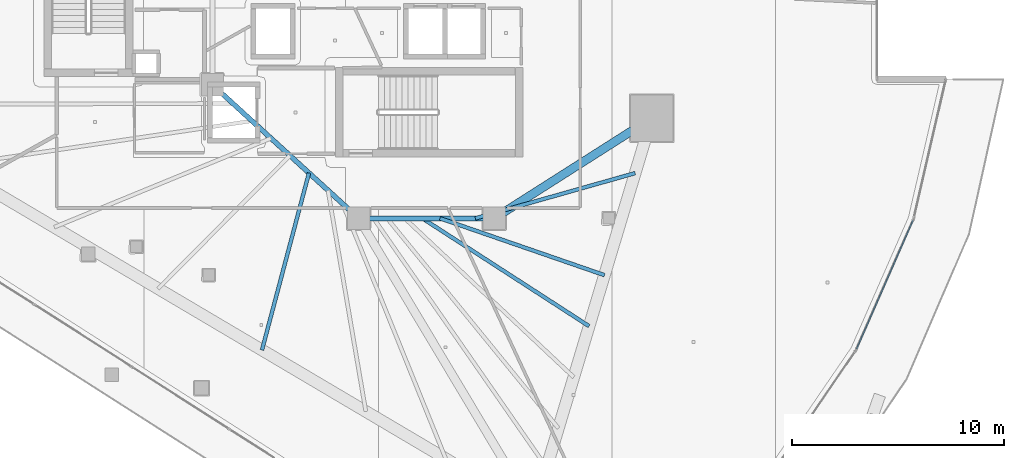
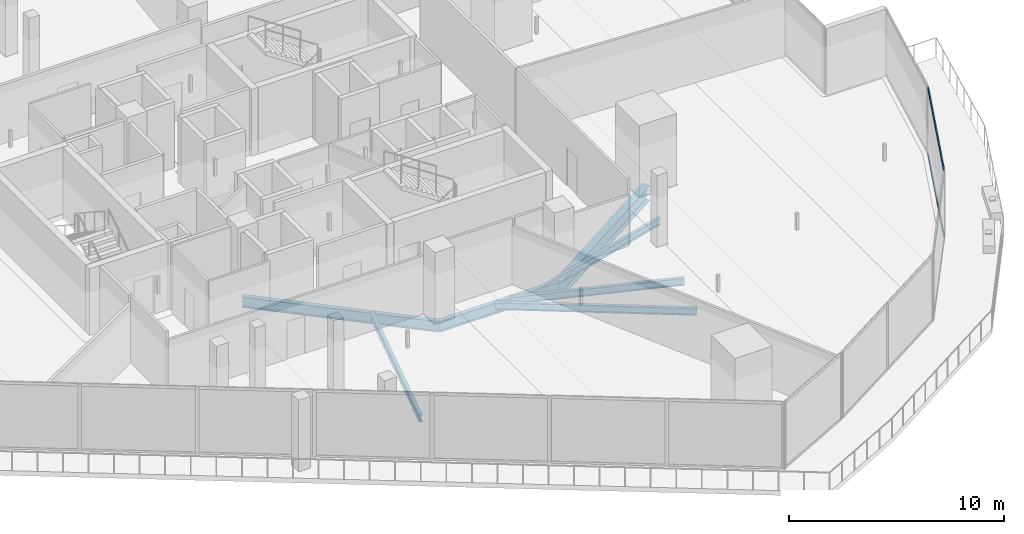
# One storey, part 11 of 38: 7 beams, 2 members, 1 element without a shape of its own.
"""IFC4 building model written with IfcOpenShell, lengths in metres."""

from ifc_helpers import new_model, si_unit, direction, frame, origin, origin_2d, place, context, subcontext, project, spatial, hollow_rectangle, i_section, extrude, material, layer, layer_set, material_profile, profile_set, type_object, element, aggregate, save


model = new_model("IFC4")

# Units and contexts
model_context = context("Model", 3, precision=1e-05, world=origin(), true_north=direction((0.0, 1.0)))
body_context = subcontext(model_context, "Body", "Model", "MODEL_VIEW")
ifc_project = project(units=[si_unit("LENGTHUNIT", "METRE"), si_unit("AREAUNIT", "SQUARE_METRE"), si_unit("VOLUMEUNIT", "CUBIC_METRE"), si_unit("PLANEANGLEUNIT", "RADIAN"), si_unit("MASSUNIT", "GRAM", prefix="KILO")], contexts=[model_context])

# Site, building, storey
site_placement = place(None, origin())
site = spatial("IfcSite", under=ifc_project, at=site_placement, CompositionType="ELEMENT")
building_placement = place(site_placement, origin())
building = spatial("IfcBuilding", under=site, at=building_placement, Name="Qorvath Tower", CompositionType="ELEMENT")
storey_placement = place(building_placement, frame((0.0, 0.0, 134.10009765625)))
storey = spatial("IfcBuildingStorey", under=building, at=storey_placement, Name="L30", CompositionType="ELEMENT", Elevation=134.10009765625)

# Beams
ifc_material_1 = material(Name="Steel ASTM A992 Grade 50", Category="steel")
ifc_material_profile_1 = material_profile(ifc_material_1, i_section(OverallWidth=0.39892578125, OverallDepth=0.85498046875, WebThickness=0.018310546875, FlangeThickness=0.029296875, FilletRadius=0.02001953125, at=origin_2d()), Name="W33x201")
ifc_profile_set_1 = profile_set([ifc_material_profile_1], Name="Steel ASTM A992 Grade 50")
beam_type_1 = type_object("IfcBeamType", Name="BM-FG2", PredefinedType="BEAM", material=ifc_profile_set_1)
beam_1_placement = place(storey_placement, frame((-17.199951171875, -11.449951171875, -0.697509765625), z_axis=(0.843634090834, 0.536918542037, 0.0), x_axis=(-0.536918542037, 0.843634090834, 0.0)))
element("IfcBeam", 1, at=beam_1_placement, inside=storey, type_object=beam_type_1, Name="Radial Floor Girder CC3-MC4 L30", PredefinedType="BEAM", context=body_context, shape_type="SweptSolid", body=[
    extrude(i_section(OverallWidth=0.39892578125, OverallDepth=0.85498046875, WebThickness=0.018310546875, FlangeThickness=0.029296875, FilletRadius=0.02001953125, at=origin_2d()), origin(), (0.0, 0.0, 1.0), 8.806884765625),
])
ifc_material_2 = material(Name="Steel ASTM A992 Grade 50", Category="steel")
ifc_material_profile_2 = material_profile(ifc_material_2, i_section(OverallWidth=0.22998046875, OverallDepth=0.616943359375, WebThickness=0.01318359375, FlangeThickness=0.022216796875, FilletRadius=0.014892578125, at=origin_2d()), Name="W24x94")
ifc_profile_set_2 = profile_set([ifc_material_profile_2], Name="Steel ASTM A992 Grade 50")
beam_type_2 = type_object("IfcBeamType", Name="BM-FG6", PredefinedType="BEAM", material=ifc_profile_set_2)
beam_2_placement = place(storey_placement, frame((-17.199951171875, -11.449951171875, -0.57861328125), z_axis=(-1.0, 0.0, 0.0), x_axis=(0.0, -1.0, 0.0)))
element("IfcBeam", 2, at=beam_2_placement, inside=storey, type_object=beam_type_2, Name="Core Ring Girder CC3-CC4 L30", PredefinedType="BEAM", context=body_context, shape_type="SweptSolid", body=[
    extrude(i_section(OverallWidth=0.22998046875, OverallDepth=0.616943359375, WebThickness=0.01318359375, FlangeThickness=0.022216796875, FilletRadius=0.014892578125, at=origin_2d()), origin(), (0.0, 0.0, 1.0), 6.400146484375),
])
beam_3_placement = place(storey_placement, frame((-23.60009765625, -11.449951171875, -0.57861328125), z_axis=(-0.73847813985, 0.6742774184, 0.0), x_axis=(-0.6742774184, -0.73847813985, 0.0)))
element("IfcBeam", 3, at=beam_3_placement, inside=storey, type_object=beam_type_2, Name="Core Ring Girder CC4-CC6 L30", PredefinedType="BEAM", context=body_context, shape_type="SweptSolid", body=[
    extrude(i_section(OverallWidth=0.22998046875, OverallDepth=0.616943359375, WebThickness=0.01318359375, FlangeThickness=0.022216796875, FilletRadius=0.014892578125, at=origin_2d()), origin(), (0.0, 0.0, 1.0), 9.343505859375),
])
ifc_material_3 = material(Name="Steel ASTM A992 Grade 50", Category="steel")
ifc_material_profile_3 = material_profile(ifc_material_3, i_section(OverallWidth=0.177978515625, OverallDepth=0.406005859375, WebThickness=0.0078125, FlangeThickness=0.0126953125, FilletRadius=0.010986328125, at=origin_2d()), Name="W16x40")
ifc_profile_set_3 = profile_set([ifc_material_profile_3], Name="Steel ASTM A992 Grade 50")
beam_type_3 = type_object("IfcBeamType", Name="BM-FJ3", PredefinedType="JOIST", material=ifc_profile_set_3)
beam_4_placement = place(storey_placement, frame((-18.095947265625, -11.449951171875, -0.472900390625), z_axis=(0.962222206221, 0.272265359264, 0.0), x_axis=(-0.272265359264, 0.962222206221, 0.0)))
element("IfcBeam", 4, at=beam_4_placement, inside=storey, type_object=beam_type_3, Name="Composite Floor Joist SE1 L30", PredefinedType="JOIST", context=body_context, shape_type="SweptSolid", body=[
    extrude(i_section(OverallWidth=0.177978515625, OverallDepth=0.406005859375, WebThickness=0.0078125, FlangeThickness=0.0126953125, FilletRadius=0.010986328125, at=origin_2d()), origin(), (0.0, 0.0, 1.0), 7.841552734375),
])
beam_5_placement = place(storey_placement, frame((-19.760009765625, -11.449951171875, -0.472900390625), z_axis=(0.945168345309, -0.326583525342, 0.0), x_axis=(0.326583525342, 0.945168345309, 0.0)))
element("IfcBeam", 5, at=beam_5_placement, inside=storey, type_object=beam_type_3, Name="Composite Floor Joist SE3 L30", PredefinedType="JOIST", context=body_context, shape_type="SweptSolid", body=[
    extrude(i_section(OverallWidth=0.177978515625, OverallDepth=0.406005859375, WebThickness=0.0078125, FlangeThickness=0.0126953125, FilletRadius=0.010986328125, at=origin_2d()), origin(), (0.0, 0.0, 1.0), 8.21044921875),
])
beam_6_placement = place(storey_placement, frame((-20.592041015625, -11.449951171875, -0.472900390625), z_axis=(0.839630966809, -0.543157288062, 0.0), x_axis=(0.543157288062, 0.839630966809, 0.0)))
element("IfcBeam", 6, at=beam_6_placement, inside=storey, type_object=beam_type_3, Name="Composite Floor Joist SE4 L30", PredefinedType="JOIST", context=body_context, shape_type="SweptSolid", body=[
    extrude(i_section(OverallWidth=0.177978515625, OverallDepth=0.406005859375, WebThickness=0.0078125, FlangeThickness=0.0126953125, FilletRadius=0.010986328125, at=origin_2d()), origin(), (0.0, 0.0, 1.0), 9.370361328125),
])
beam_7_placement = place(storey_placement, frame((-25.946044921875, -9.30810546875, -0.472900390625), z_axis=(-0.256507909517, -0.966542131702, 0.0), x_axis=(0.966542131702, -0.256507909517, 0.0)))
element("IfcBeam", 7, at=beam_7_placement, inside=storey, type_object=beam_type_3, Name="Composite Floor Joist SW5 L30", PredefinedType="JOIST", context=body_context, shape_type="SweptSolid", body=[
    extrude(i_section(OverallWidth=0.177978515625, OverallDepth=0.406005859375, WebThickness=0.0078125, FlangeThickness=0.0126953125, FilletRadius=0.010986328125, at=origin_2d()), origin(), (0.0, 0.0, 1.0), 8.64697265625),
])

# Curtain wall, members
ifc_material_4 = material(Name="Anodised aluminium and triple low-E glass", Category="aluminium")
ifc_layer = layer(ifc_material_4, 0.179931640625)
ifc_layer_set = layer_set([ifc_layer], Name="CW-SYS-3")
curtain_wall_type = type_object("IfcCurtainWallType", Name="CW-SYS-3", PredefinedType="NOTDEFINED", material=ifc_layer_set)
curtain_wall_placement = place(storey_placement, origin())
curtain_wall = element("IfcCurtainWall", 8, at=curtain_wall_placement, inside=storey, type_object=curtain_wall_type, Name="Curtain Wall CW-3 CW-T-L30-6.1", PredefinedType="NOTDEFINED")
ifc_material_5 = material(Name="Anodised aluminium 6063-T6", Category="aluminium")
ifc_material_profile_4 = material_profile(ifc_material_5, hollow_rectangle(XDim=0.06494140625, YDim=0.159912109375, WallThickness=0.00341796875, InnerFilletRadius=0.00341796875, OuterFilletRadius=0.007080078125, at=origin_2d()), Name="CWT 160x65")
ifc_profile_set_4 = profile_set([ifc_material_profile_4], Name="Anodised aluminium 6063-T6")
member_type = type_object("IfcMemberType", Name="CWT-160", PredefinedType="USERDEFINED", material=ifc_profile_set_4)
member_1_placement = place(storey_placement, frame((-0.101806640625, -17.61572265625, 0.032470703125), z_axis=(0.401787018537, 0.91573314439, 0.0), x_axis=(-0.91573314439, 0.401787018537, 0.0)))
member_1 = element("IfcMember", 9, at=member_1_placement, type_object=member_type, Name="CW-3 transom 1.1", ObjectType="TRANSOM", PredefinedType="USERDEFINED", context=body_context, shape_type="SweptSolid", body=[
    extrude(hollow_rectangle(XDim=0.06494140625, YDim=0.159912109375, WallThickness=0.00341796875, InnerFilletRadius=0.00341796875, OuterFilletRadius=0.007080078125, at=origin_2d()), origin(), (0.0, 0.0, 1.0), 6.63916015625),
])
member_2_placement = place(storey_placement, frame((-0.101806640625, -17.61572265625, 3.747314453125), z_axis=(0.401787018537, 0.91573314439, 0.0), x_axis=(-0.91573314439, 0.401787018537, 0.0)))
member_2 = element("IfcMember", 10, at=member_2_placement, type_object=member_type, Name="CW-3 transom 1.2", ObjectType="TRANSOM", PredefinedType="USERDEFINED", context=body_context, shape_type="SweptSolid", body=[
    extrude(hollow_rectangle(XDim=0.06494140625, YDim=0.159912109375, WallThickness=0.00341796875, InnerFilletRadius=0.00341796875, OuterFilletRadius=0.007080078125, at=origin_2d()), origin(), (0.0, 0.0, 1.0), 6.63916015625),
])
aggregate(curtain_wall, [member_1, member_2])

save(model, "model.ifc")
